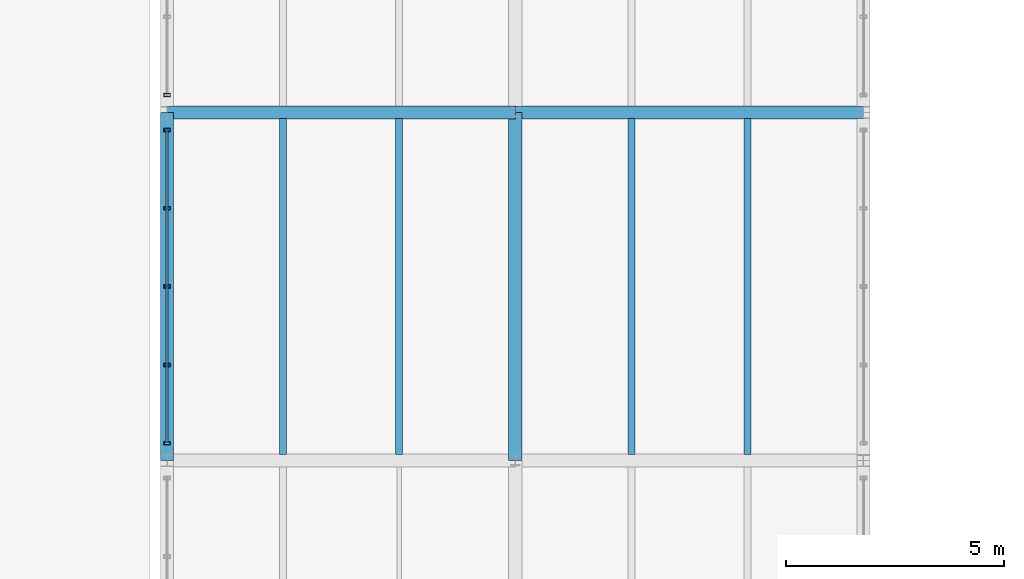
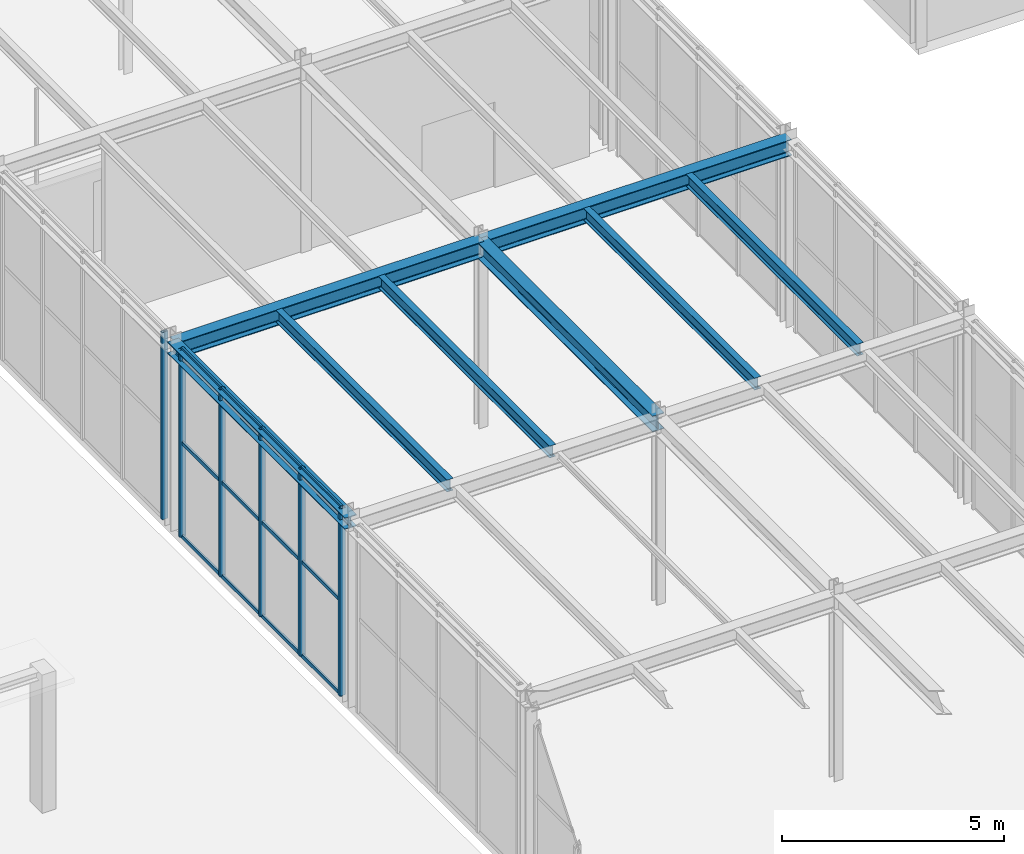
# One storey, part 43 of 129: 18 members, 8 beams, 2 elements without a shape of their own.
"""IFC4 building model written with IfcOpenShell, lengths in metres."""

from ifc_helpers import new_model, si_unit, direction, frame, origin, origin_2d, place, context, subcontext, project, spatial, hollow_rectangle, i_section, extrude, material, material_profile, profile_set, type_object, element, aggregate, save


model = new_model("IFC4")

# Units and contexts
model_context = context("Model", 3, precision=1e-05, world=origin(), true_north=direction((0.0, 1.0)))
body_context = subcontext(model_context, "Body", "Model", "MODEL_VIEW")
ifc_project = project(units=[si_unit("LENGTHUNIT", "METRE"), si_unit("AREAUNIT", "SQUARE_METRE"), si_unit("VOLUMEUNIT", "CUBIC_METRE"), si_unit("PLANEANGLEUNIT", "RADIAN"), si_unit("MASSUNIT", "GRAM", prefix="KILO")], contexts=[model_context])

# Site, building, storey
site_placement = place(None, origin())
site = spatial("IfcSite", under=ifc_project, at=site_placement, CompositionType="ELEMENT")
building_placement = place(site_placement, origin())
building = spatial("IfcBuilding", under=site, at=building_placement, Name="Sundkrona Museum", CompositionType="ELEMENT")
storey_placement = place(building_placement, origin())
storey = spatial("IfcBuildingStorey", under=building, at=storey_placement, Name="L00", CompositionType="ELEMENT", Elevation=0.0)

# Beams
ifc_material_1 = material(Name="Steel S355J2", Category="steel")
ifc_material_profile_1 = material_profile(ifc_material_1, i_section(OverallWidth=0.300048828125, OverallDepth=0.43994140625, WebThickness=0.011474609375, FlangeThickness=0.02099609375, FilletRadius=0.027099609375, at=origin_2d()), Name="HEA 450")
ifc_profile_set_1 = profile_set([ifc_material_profile_1], Name="Steel S355J2")
beam_type_1 = type_object("IfcBeamType", Name="B-HEA450", PredefinedType="BEAM", material=ifc_profile_set_1)
for number, where, z_axis, x_axis, name in (
    (1, (80.0, 70.0, 4.919921875), (1.0, 0.0, 0.0), (0.0, 1.0, 0.0), "L00 Girder X-0509"),
    (2, (88.0, 70.0, 4.919921875), (1.0, 0.0, 0.0), (0.0, 1.0, 0.0), "L00 Girder X-0510"),
    (3, (88.0, 62.0, 4.919921875), (0.0, 1.0, 0.0), (-1.0, 0.0, 0.0), "L00 Girder Y-0694"),
):
    element("IfcBeam", number, at=place(storey_placement, frame(where, z_axis=z_axis, x_axis=x_axis)), inside=storey, type_object=beam_type_1, Name=name, PredefinedType="BEAM", context=body_context, shape_type="SweptSolid", body=[
        extrude(i_section(OverallWidth=0.300048828125, OverallDepth=0.43994140625, WebThickness=0.011474609375, FlangeThickness=0.02099609375, FilletRadius=0.027099609375, at=origin_2d()), origin(), (0.0, 0.0, 1.0), 8.0),
    ])
ifc_material_profile_2 = material_profile(ifc_material_1, i_section(OverallWidth=0.159912109375, OverallDepth=0.330078125, WebThickness=0.007568359375, FlangeThickness=0.011474609375, FilletRadius=0.01806640625, at=origin_2d()), Name="IPE 330")
ifc_profile_set_2 = profile_set([ifc_material_profile_2], Name="Steel S355J2")
beam_type_2 = type_object("IfcBeamType", Name="J-IPE330", PredefinedType="JOIST", material=ifc_profile_set_2)
for number, where, z_axis, x_axis, name in (
    (4, (82.666748046875, 62.14404296875, 4.97509765625), (0.0, 1.0, 0.0), (-1.0, 0.0, 0.0), "L00 Composite Joist 0401"),
    (5, (85.333251953125, 62.14404296875, 4.97509765625), (0.0, 1.0, 0.0), (-1.0, 0.0, 0.0), "L00 Composite Joist 0402"),
    (6, (90.666748046875, 62.14404296875, 4.97509765625), (0.0, 1.0, 0.0), (-1.0, 0.0, 0.0), "L00 Composite Joist 0421"),
    (7, (93.333251953125, 62.14404296875, 4.97509765625), (0.0, 1.0, 0.0), (-1.0, 0.0, 0.0), "L00 Composite Joist 0422"),
):
    element("IfcBeam", number, at=place(storey_placement, frame(where, z_axis=z_axis, x_axis=x_axis)), inside=storey, type_object=beam_type_2, Name=name, PredefinedType="JOIST", context=body_context, shape_type="SweptSolid", body=[
        extrude(i_section(OverallWidth=0.159912109375, OverallDepth=0.330078125, WebThickness=0.007568359375, FlangeThickness=0.011474609375, FilletRadius=0.01806640625, at=origin_2d()), origin(), (0.0, 0.0, 1.0), 7.7119140625),
    ])

# Curtain wall, members
ifc_material_2 = material(Name="Unitised Aluminium-Steel and Ceramic-Clad Curtain Walling", Category="steel")
curtain_wall_type = type_object("IfcCurtainWallType", Name="CW-PS-74x48", PredefinedType="NOTDEFINED", material=ifc_material_2)
curtain_wall_1_placement = place(storey_placement, origin())
curtain_wall_1 = element("IfcCurtainWall", 8, at=curtain_wall_1_placement, inside=storey, type_object=curtain_wall_type, Name="L00 Curtain Wall CW-L00-098", PredefinedType="NOTDEFINED")
ifc_material_3 = material(Name="Aluminium EN AW-6060 T66", Category="aluminium")
ifc_material_profile_3 = material_profile(ifc_material_3, hollow_rectangle(XDim=0.074951171875, YDim=0.14990234375, WallThickness=0.00634765625, at=origin_2d()), Name="RHS 150x75x6.3")
ifc_profile_set_3 = profile_set([ifc_material_profile_3], Name="Aluminium EN AW-6060 T66")
member_type_1 = type_object("IfcMemberType", Name="ML-150", PredefinedType="MULLION", material=ifc_profile_set_3)
member_1_placement = place(storey_placement, frame((80.0, 62.39990234375, -0.00390625), z_axis=(0.0, 0.0, 1.0), x_axis=(0.0, 1.0, 0.0)))
member_1 = element("IfcMember", 9, at=member_1_placement, type_object=member_type_1, Name="CW-L00-098 Mullion 01", PredefinedType="MULLION", context=body_context, shape_type="SweptSolid", body=[
    extrude(hollow_rectangle(XDim=0.074951171875, YDim=0.14990234375, WallThickness=0.00634765625, at=origin_2d()), origin(), (0.0, 0.0, 1.0), 5.14794921875),
])
member_2_placement = place(storey_placement, frame((80.0, 64.199951171875, -0.00390625), z_axis=(0.0, 0.0, 1.0), x_axis=(0.0, 1.0, 0.0)))
member_2 = element("IfcMember", 10, at=member_2_placement, type_object=member_type_1, Name="CW-L00-098 Mullion 02", PredefinedType="MULLION", context=body_context, shape_type="SweptSolid", body=[
    extrude(hollow_rectangle(XDim=0.074951171875, YDim=0.14990234375, WallThickness=0.00634765625, at=origin_2d()), origin(), (0.0, 0.0, 1.0), 5.14794921875),
])
member_3_placement = place(storey_placement, frame((80.0, 66.0, -0.00390625), z_axis=(0.0, 0.0, 1.0), x_axis=(0.0, 1.0, 0.0)))
member_3 = element("IfcMember", 11, at=member_3_placement, type_object=member_type_1, Name="CW-L00-098 Mullion 03", PredefinedType="MULLION", context=body_context, shape_type="SweptSolid", body=[
    extrude(hollow_rectangle(XDim=0.074951171875, YDim=0.14990234375, WallThickness=0.00634765625, at=origin_2d()), origin(), (0.0, 0.0, 1.0), 5.14794921875),
])
member_4_placement = place(storey_placement, frame((80.0, 67.800048828125, -0.00390625), z_axis=(0.0, 0.0, 1.0), x_axis=(0.0, 1.0, 0.0)))
member_4 = element("IfcMember", 12, at=member_4_placement, type_object=member_type_1, Name="CW-L00-098 Mullion 04", PredefinedType="MULLION", context=body_context, shape_type="SweptSolid", body=[
    extrude(hollow_rectangle(XDim=0.074951171875, YDim=0.14990234375, WallThickness=0.00634765625, at=origin_2d()), origin(), (0.0, 0.0, 1.0), 5.14794921875),
])
member_5_placement = place(storey_placement, frame((80.0, 69.60009765625, -0.00390625), z_axis=(0.0, 0.0, 1.0), x_axis=(0.0, 1.0, 0.0)))
member_5 = element("IfcMember", 13, at=member_5_placement, type_object=member_type_1, Name="CW-L00-098 Mullion 05", PredefinedType="MULLION", context=body_context, shape_type="SweptSolid", body=[
    extrude(hollow_rectangle(XDim=0.074951171875, YDim=0.14990234375, WallThickness=0.00634765625, at=origin_2d()), origin(), (0.0, 0.0, 1.0), 5.14794921875),
])

# Curtain wall, member
curtain_wall_2_placement = place(storey_placement, origin())
curtain_wall_2 = element("IfcCurtainWall", 14, at=curtain_wall_2_placement, inside=storey, type_object=curtain_wall_type, Name="L00 Curtain Wall CW-L00-100", PredefinedType="NOTDEFINED")
member_6_placement = place(storey_placement, frame((80.0, 70.39990234375, -0.00390625), z_axis=(0.0, 0.0, 1.0), x_axis=(0.0, 1.0, 0.0)))
member_6 = element("IfcMember", 15, at=member_6_placement, type_object=member_type_1, Name="CW-L00-100 Mullion 01", PredefinedType="MULLION", context=body_context, shape_type="SweptSolid", body=[
    extrude(hollow_rectangle(XDim=0.074951171875, YDim=0.14990234375, WallThickness=0.00634765625, at=origin_2d()), origin(), (0.0, 0.0, 1.0), 5.14794921875),
])
aggregate(curtain_wall_2, [member_6])

# Beam
ifc_material_profile_4 = material_profile(ifc_material_1, i_section(OverallWidth=0.300048828125, OverallDepth=0.320068359375, WebThickness=0.011474609375, FlangeThickness=0.0205078125, FilletRadius=0.027099609375, at=origin_2d()), Name="HEB 320")
ifc_profile_set_4 = profile_set([ifc_material_profile_4], Name="Steel S355J2")
beam_type_3 = type_object("IfcBeamType", Name="SP-HEB320", PredefinedType="SPANDREL", material=ifc_profile_set_4)
beam_placement = place(storey_placement, frame((80.0, 62.0, 4.97998046875), z_axis=(0.0, 1.0, 0.0), x_axis=(-1.0, 0.0, 0.0)))
element("IfcBeam", 16, at=beam_placement, inside=storey, type_object=beam_type_3, Name="L00 Girder Y-0679", PredefinedType="SPANDREL", context=body_context, shape_type="SweptSolid", body=[
    extrude(i_section(OverallWidth=0.300048828125, OverallDepth=0.320068359375, WebThickness=0.011474609375, FlangeThickness=0.0205078125, FilletRadius=0.027099609375, at=origin_2d()), origin(), (0.0, 0.0, 1.0), 8.0),
])

# Member
ifc_material_profile_5 = material_profile(ifc_material_3, hollow_rectangle(XDim=0.050048828125, YDim=0.10009765625, WallThickness=0.0048828125, at=origin_2d()), Name="RHS 100x50x5.0")
ifc_profile_set_5 = profile_set([ifc_material_profile_5], Name="Aluminium EN AW-6060 T66")
member_type_2 = type_object("IfcMemberType", Name="TR-100", PredefinedType="USERDEFINED", material=ifc_profile_set_5)
member_7_placement = place(storey_placement, frame((80.0, 62.39990234375, -0.00390625), z_axis=(0.0, 1.0, 0.0), x_axis=(-1.0, 0.0, 0.0)))
member_7 = element("IfcMember", 17, at=member_7_placement, type_object=member_type_2, Name="CW-L00-098 Transom 01", ObjectType="TRANSOM", PredefinedType="USERDEFINED", context=body_context, shape_type="SweptSolid", body=[
    extrude(hollow_rectangle(XDim=0.050048828125, YDim=0.10009765625, WallThickness=0.0048828125, at=origin_2d()), origin(), (0.0, 0.0, 1.0), 1.800048828125),
])

member_8_placement = place(storey_placement, frame((80.0, 62.39990234375, 2.570068359375), z_axis=(0.0, 1.0, 0.0), x_axis=(-1.0, 0.0, 0.0)))
member_8 = element("IfcMember", 18, at=member_8_placement, type_object=member_type_2, Name="CW-L00-098 Transom 02", ObjectType="TRANSOM", PredefinedType="USERDEFINED", context=body_context, shape_type="SweptSolid", body=[
    extrude(hollow_rectangle(XDim=0.050048828125, YDim=0.10009765625, WallThickness=0.0048828125, at=origin_2d()), origin(), (0.0, 0.0, 1.0), 1.800048828125),
])

member_9_placement = place(storey_placement, frame((80.0, 62.39990234375, 5.14404296875), z_axis=(0.0, 1.0, 0.0), x_axis=(-1.0, 0.0, 0.0)))
member_9 = element("IfcMember", 19, at=member_9_placement, type_object=member_type_2, Name="CW-L00-098 Transom 03", ObjectType="TRANSOM", PredefinedType="USERDEFINED", context=body_context, shape_type="SweptSolid", body=[
    extrude(hollow_rectangle(XDim=0.050048828125, YDim=0.10009765625, WallThickness=0.0048828125, at=origin_2d()), origin(), (0.0, 0.0, 1.0), 1.800048828125),
])

member_10_placement = place(storey_placement, frame((80.0, 64.199951171875, -0.00390625), z_axis=(0.0, 1.0, 0.0), x_axis=(-1.0, 0.0, 0.0)))
member_10 = element("IfcMember", 20, at=member_10_placement, type_object=member_type_2, Name="CW-L00-098 Transom 04", ObjectType="TRANSOM", PredefinedType="USERDEFINED", context=body_context, shape_type="SweptSolid", body=[
    extrude(hollow_rectangle(XDim=0.050048828125, YDim=0.10009765625, WallThickness=0.0048828125, at=origin_2d()), origin(), (0.0, 0.0, 1.0), 1.800048828125),
])

member_11_placement = place(storey_placement, frame((80.0, 64.199951171875, 2.570068359375), z_axis=(0.0, 1.0, 0.0), x_axis=(-1.0, 0.0, 0.0)))
member_11 = element("IfcMember", 21, at=member_11_placement, type_object=member_type_2, Name="CW-L00-098 Transom 05", ObjectType="TRANSOM", PredefinedType="USERDEFINED", context=body_context, shape_type="SweptSolid", body=[
    extrude(hollow_rectangle(XDim=0.050048828125, YDim=0.10009765625, WallThickness=0.0048828125, at=origin_2d()), origin(), (0.0, 0.0, 1.0), 1.800048828125),
])

member_12_placement = place(storey_placement, frame((80.0, 64.199951171875, 5.14404296875), z_axis=(0.0, 1.0, 0.0), x_axis=(-1.0, 0.0, 0.0)))
member_12 = element("IfcMember", 22, at=member_12_placement, type_object=member_type_2, Name="CW-L00-098 Transom 06", ObjectType="TRANSOM", PredefinedType="USERDEFINED", context=body_context, shape_type="SweptSolid", body=[
    extrude(hollow_rectangle(XDim=0.050048828125, YDim=0.10009765625, WallThickness=0.0048828125, at=origin_2d()), origin(), (0.0, 0.0, 1.0), 1.800048828125),
])

member_13_placement = place(storey_placement, frame((80.0, 66.0, -0.00390625), z_axis=(0.0, 1.0, 0.0), x_axis=(-1.0, 0.0, 0.0)))
member_13 = element("IfcMember", 23, at=member_13_placement, type_object=member_type_2, Name="CW-L00-098 Transom 07", ObjectType="TRANSOM", PredefinedType="USERDEFINED", context=body_context, shape_type="SweptSolid", body=[
    extrude(hollow_rectangle(XDim=0.050048828125, YDim=0.10009765625, WallThickness=0.0048828125, at=origin_2d()), origin(), (0.0, 0.0, 1.0), 1.800048828125),
])

member_14_placement = place(storey_placement, frame((80.0, 66.0, 2.570068359375), z_axis=(0.0, 1.0, 0.0), x_axis=(-1.0, 0.0, 0.0)))
member_14 = element("IfcMember", 24, at=member_14_placement, type_object=member_type_2, Name="CW-L00-098 Transom 08", ObjectType="TRANSOM", PredefinedType="USERDEFINED", context=body_context, shape_type="SweptSolid", body=[
    extrude(hollow_rectangle(XDim=0.050048828125, YDim=0.10009765625, WallThickness=0.0048828125, at=origin_2d()), origin(), (0.0, 0.0, 1.0), 1.800048828125),
])

member_15_placement = place(storey_placement, frame((80.0, 66.0, 5.14404296875), z_axis=(0.0, 1.0, 0.0), x_axis=(-1.0, 0.0, 0.0)))
member_15 = element("IfcMember", 25, at=member_15_placement, type_object=member_type_2, Name="CW-L00-098 Transom 09", ObjectType="TRANSOM", PredefinedType="USERDEFINED", context=body_context, shape_type="SweptSolid", body=[
    extrude(hollow_rectangle(XDim=0.050048828125, YDim=0.10009765625, WallThickness=0.0048828125, at=origin_2d()), origin(), (0.0, 0.0, 1.0), 1.800048828125),
])

member_16_placement = place(storey_placement, frame((80.0, 67.800048828125, -0.00390625), z_axis=(0.0, 1.0, 0.0), x_axis=(-1.0, 0.0, 0.0)))
member_16 = element("IfcMember", 26, at=member_16_placement, type_object=member_type_2, Name="CW-L00-098 Transom 10", ObjectType="TRANSOM", PredefinedType="USERDEFINED", context=body_context, shape_type="SweptSolid", body=[
    extrude(hollow_rectangle(XDim=0.050048828125, YDim=0.10009765625, WallThickness=0.0048828125, at=origin_2d()), origin(), (0.0, 0.0, 1.0), 1.800048828125),
])

member_17_placement = place(storey_placement, frame((80.0, 67.800048828125, 2.570068359375), z_axis=(0.0, 1.0, 0.0), x_axis=(-1.0, 0.0, 0.0)))
member_17 = element("IfcMember", 27, at=member_17_placement, type_object=member_type_2, Name="CW-L00-098 Transom 11", ObjectType="TRANSOM", PredefinedType="USERDEFINED", context=body_context, shape_type="SweptSolid", body=[
    extrude(hollow_rectangle(XDim=0.050048828125, YDim=0.10009765625, WallThickness=0.0048828125, at=origin_2d()), origin(), (0.0, 0.0, 1.0), 1.800048828125),
])

member_18_placement = place(storey_placement, frame((80.0, 67.800048828125, 5.14404296875), z_axis=(0.0, 1.0, 0.0), x_axis=(-1.0, 0.0, 0.0)))
member_18 = element("IfcMember", 28, at=member_18_placement, type_object=member_type_2, Name="CW-L00-098 Transom 12", ObjectType="TRANSOM", PredefinedType="USERDEFINED", context=body_context, shape_type="SweptSolid", body=[
    extrude(hollow_rectangle(XDim=0.050048828125, YDim=0.10009765625, WallThickness=0.0048828125, at=origin_2d()), origin(), (0.0, 0.0, 1.0), 1.800048828125),
])

aggregate(curtain_wall_1, [member_1, member_2, member_3, member_4, member_5, member_7, member_8, member_9, member_10, member_11, member_12, member_13, member_14, member_15, member_16, member_17, member_18])

save(model, "model.ifc")
